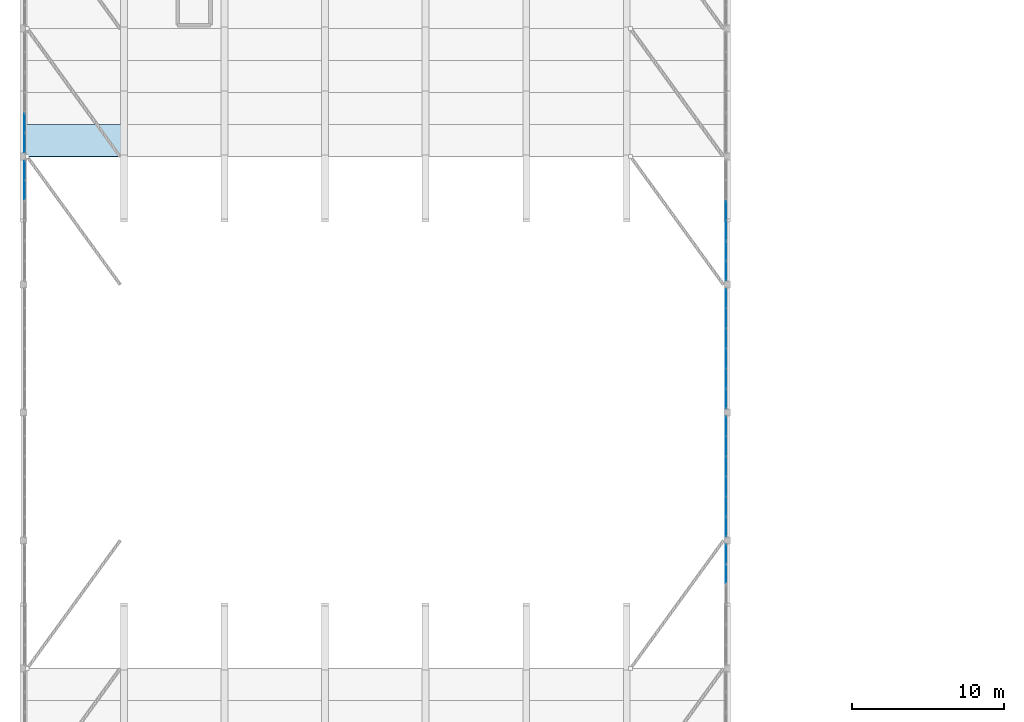
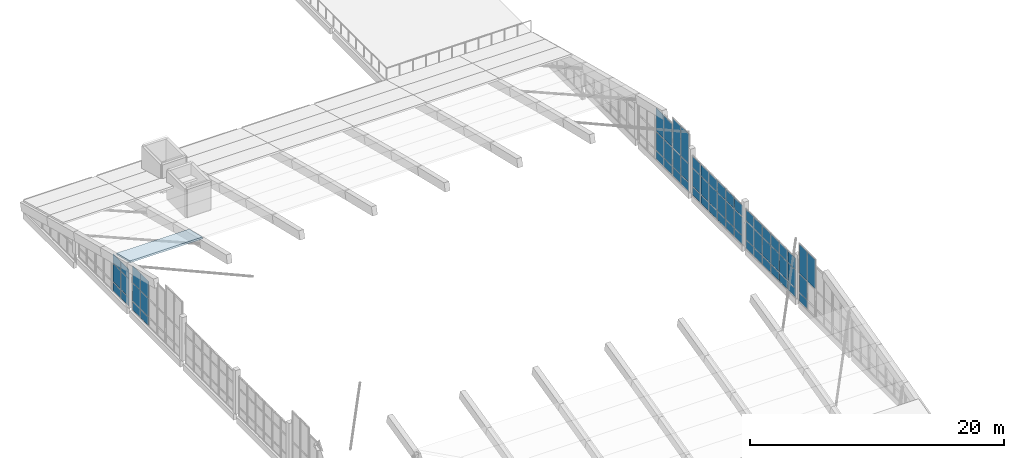
# One storey, part 43 of 78: 64 plates, 1 slab, 7 elements without a shape of their own.
"""IFC4 building model written with IfcOpenShell, lengths in metres."""

from ifc_helpers import new_model, si_unit, direction, frame, origin, origin_2d, place, context, subcontext, project, spatial, polyline, rectangle, outline, extrude, material, layer, layer_set, type_object, element, aggregate, save


model = new_model("IFC4")

# Units and contexts
model_context = context("Model", 3, precision=1e-05, world=origin(), true_north=direction((0.0, 1.0)))
body_context = subcontext(model_context, "Body", "Model", "MODEL_VIEW")
ifc_project = project(units=[si_unit("LENGTHUNIT", "METRE"), si_unit("AREAUNIT", "SQUARE_METRE"), si_unit("VOLUMEUNIT", "CUBIC_METRE"), si_unit("PLANEANGLEUNIT", "RADIAN"), si_unit("MASSUNIT", "GRAM", prefix="KILO")], contexts=[model_context])

# Site, building, storey
site_placement = place(None, origin())
site = spatial("IfcSite", under=ifc_project, at=site_placement, CompositionType="ELEMENT")
building_placement = place(site_placement, origin())
building = spatial("IfcBuilding", under=site, at=building_placement, Name="Qaldarim Faculty of Natural and Applied Sciences", CompositionType="ELEMENT")
storey_placement = place(building_placement, frame((0.0, 0.0, 18.60009765625)))
storey = spatial("IfcBuildingStorey", under=building, at=storey_placement, Name="L04", CompositionType="ELEMENT", Elevation=18.60009765625)

# Slab
ifc_material_1 = material(Name="Concrete C40/50", Category="concrete")
ifc_layer_1 = layer(ifc_material_1, 0.159912109375)
ifc_layer_set_1 = layer_set([ifc_layer_1], Name="Concrete C40/50")
slab_type = type_object("IfcSlabType", Name="PointedArchShellStrip-160", PredefinedType="ROOF", material=ifc_layer_set_1)
slab_placement = place(storey_placement, frame((0.0, 67.161865234375, 4.184326171875), z_axis=(0.0, 0.238123063783, 0.971234990357), x_axis=(1.0, 0.0, 0.0)))
element("IfcSlab", 1, at=slab_placement, inside=storey, type_object=slab_type, Name="Pointed-arch shell strip B01-N09", PredefinedType="ROOF", context=body_context, shape_type="SweptSolid", body=[
    extrude(outline(polyline([(0.0, 0.0), (6.60009765625, 0.0), (6.60009765625, 2.162296125139883), (0.0, 2.162296125139883), (0.0, 0.0)])), origin(), (0.0, 0.0, 1.0), 0.159912109375),
])

# Curtain wall, plates
ifc_material_2 = material(Name="Anodised aluminium AW-6063", Category="aluminium")
curtain_wall_type = type_object("IfcCurtainWallType", Name="CurtainWallSystem-M1300", PredefinedType="USERDEFINED", material=ifc_material_2)
curtain_wall_1_placement = place(storey_placement, origin())
curtain_wall_1 = element("IfcCurtainWall", 2, at=curtain_wall_1_placement, inside=storey, type_object=curtain_wall_type, Name="Curtain wall CW-GABLE-L04-W-Y08-3", ObjectType="STICK CURTAIN WALL", PredefinedType="USERDEFINED")
ifc_material_3 = material(Name="Insulated low-e double glazing", Category="glass")
ifc_layer_2 = layer(ifc_material_3, 0.028076171875)
ifc_layer_set_2 = layer_set([ifc_layer_2], Name="Insulated low-e double glazing")
plate_type = type_object("IfcPlateType", Name="VisionGlazingPanel-28", PredefinedType="CURTAIN_PANEL", material=ifc_layer_set_2)
plate_1_placement = place(storey_placement, frame((0.080078125, 66.29638671875, -0.2001953125), z_axis=(0.0, 0.0, 1.0), x_axis=(0.0, -1.0, 0.0)))
plate_1 = element("IfcPlate", 3, at=plate_1_placement, type_object=plate_type, Name="Glazed panel 1-1 of CW-GABLE-L04-W-Y08-3", PredefinedType="CURTAIN_PANEL", context=body_context, shape_type="SweptSolid", body=[
    extrude(rectangle(XDim=1.2275390625, YDim=0.028076171875, at=origin_2d()), origin(), (0.0, 0.0, 1.0), 0.81005859375),
])
plate_2_placement = place(storey_placement, frame((0.080078125, 66.29638671875, 0.669921875), z_axis=(0.0, 0.0, 1.0), x_axis=(0.0, -1.0, 0.0)))
plate_2 = element("IfcPlate", 4, at=plate_2_placement, type_object=plate_type, Name="Glazed panel 1-2 of CW-GABLE-L04-W-Y08-3", PredefinedType="CURTAIN_PANEL", context=body_context, shape_type="SweptSolid", body=[
    extrude(rectangle(XDim=1.2275390625, YDim=0.028076171875, at=origin_2d()), origin(), (0.0, 0.0, 1.0), 1.739990234375),
])
plate_3_placement = place(storey_placement, frame((0.080078125, 66.29638671875, 2.4697265625), z_axis=(0.0, 0.0, 1.0), x_axis=(0.0, -1.0, 0.0)))
plate_3 = element("IfcPlate", 5, at=plate_3_placement, type_object=plate_type, Name="Glazed panel 1-3 of CW-GABLE-L04-W-Y08-3", PredefinedType="CURTAIN_PANEL", context=body_context, shape_type="SweptSolid", body=[
    extrude(rectangle(XDim=1.2275390625, YDim=0.028076171875, at=origin_2d()), origin(), (0.0, 0.0, 1.0), 1.594970703125),
])
plate_4_placement = place(storey_placement, frame((0.080078125, 65.0087890625, -0.2001953125), z_axis=(0.0, 0.0, 1.0), x_axis=(0.0, -1.0, 0.0)))
plate_4 = element("IfcPlate", 6, at=plate_4_placement, type_object=plate_type, Name="Glazed panel 2-1 of CW-GABLE-L04-W-Y08-3", PredefinedType="CURTAIN_PANEL", context=body_context, shape_type="SweptSolid", body=[
    extrude(rectangle(XDim=1.2275390625, YDim=0.028076171875, at=origin_2d()), origin(), (0.0, 0.0, 1.0), 0.81005859375),
])
plate_5_placement = place(storey_placement, frame((0.080078125, 65.0087890625, 0.669921875), z_axis=(0.0, 0.0, 1.0), x_axis=(0.0, -1.0, 0.0)))
plate_5 = element("IfcPlate", 7, at=plate_5_placement, type_object=plate_type, Name="Glazed panel 2-2 of CW-GABLE-L04-W-Y08-3", PredefinedType="CURTAIN_PANEL", context=body_context, shape_type="SweptSolid", body=[
    extrude(rectangle(XDim=1.2275390625, YDim=0.028076171875, at=origin_2d()), origin(), (0.0, 0.0, 1.0), 1.739990234375),
])
plate_6_placement = place(storey_placement, frame((0.080078125, 65.0087890625, 2.4697265625), z_axis=(0.0, 0.0, 1.0), x_axis=(0.0, -1.0, 0.0)))
plate_6 = element("IfcPlate", 8, at=plate_6_placement, type_object=plate_type, Name="Glazed panel 2-3 of CW-GABLE-L04-W-Y08-3", PredefinedType="CURTAIN_PANEL", context=body_context, shape_type="SweptSolid", body=[
    extrude(rectangle(XDim=1.2275390625, YDim=0.028076171875, at=origin_2d()), origin(), (0.0, 0.0, 1.0), 1.594970703125),
])
aggregate(curtain_wall_1, [plate_1, plate_2, plate_3, plate_4, plate_5, plate_6])

curtain_wall_2_placement = place(storey_placement, origin())
curtain_wall_2 = element("IfcCurtainWall", 9, at=curtain_wall_2_placement, inside=storey, type_object=curtain_wall_type, Name="Curtain wall CW-GABLE-L04-W-Y09-1", ObjectType="STICK CURTAIN WALL", PredefinedType="USERDEFINED")
plate_7_placement = place(storey_placement, frame((0.080078125, 69.39111328125, -0.2001953125), z_axis=(0.0, 0.0, 1.0), x_axis=(0.0, -1.0, 0.0)))
plate_7 = element("IfcPlate", 10, at=plate_7_placement, type_object=plate_type, Name="Glazed panel 1-1 of CW-GABLE-L04-W-Y09-1", PredefinedType="CURTAIN_PANEL", context=body_context, shape_type="SweptSolid", body=[
    extrude(rectangle(XDim=1.2275390625, YDim=0.028076171875, at=origin_2d()), origin(), (0.0, 0.0, 1.0), 0.81005859375),
])
plate_8_placement = place(storey_placement, frame((0.080078125, 69.39111328125, 0.669921875), z_axis=(0.0, 0.0, 1.0), x_axis=(0.0, -1.0, 0.0)))
plate_8 = element("IfcPlate", 11, at=plate_8_placement, type_object=plate_type, Name="Glazed panel 1-2 of CW-GABLE-L04-W-Y09-1", PredefinedType="CURTAIN_PANEL", context=body_context, shape_type="SweptSolid", body=[
    extrude(rectangle(XDim=1.2275390625, YDim=0.028076171875, at=origin_2d()), origin(), (0.0, 0.0, 1.0), 1.739990234375),
])
plate_9_placement = place(storey_placement, frame((0.080078125, 69.39111328125, 2.469970703125), z_axis=(0.0, 0.0, 1.0), x_axis=(0.0, -1.0, 0.0)))
plate_9 = element("IfcPlate", 12, at=plate_9_placement, type_object=plate_type, Name="Glazed panel 1-3 of CW-GABLE-L04-W-Y09-1", PredefinedType="CURTAIN_PANEL", context=body_context, shape_type="SweptSolid", body=[
    extrude(rectangle(XDim=1.2275390625, YDim=0.028076171875, at=origin_2d()), origin(), (0.0, 0.0, 1.0), 0.85498046875),
])
plate_10_placement = place(storey_placement, frame((0.080078125, 68.103759765625, -0.2001953125), z_axis=(0.0, 0.0, 1.0), x_axis=(0.0, -1.0, 0.0)))
plate_10 = element("IfcPlate", 13, at=plate_10_placement, type_object=plate_type, Name="Glazed panel 2-1 of CW-GABLE-L04-W-Y09-1", PredefinedType="CURTAIN_PANEL", context=body_context, shape_type="SweptSolid", body=[
    extrude(rectangle(XDim=1.2275390625, YDim=0.028076171875, at=origin_2d()), origin(), (0.0, 0.0, 1.0), 0.81005859375),
])
plate_11_placement = place(storey_placement, frame((0.080078125, 68.103759765625, 0.669921875), z_axis=(0.0, 0.0, 1.0), x_axis=(0.0, -1.0, 0.0)))
plate_11 = element("IfcPlate", 14, at=plate_11_placement, type_object=plate_type, Name="Glazed panel 2-2 of CW-GABLE-L04-W-Y09-1", PredefinedType="CURTAIN_PANEL", context=body_context, shape_type="SweptSolid", body=[
    extrude(rectangle(XDim=1.2275390625, YDim=0.028076171875, at=origin_2d()), origin(), (0.0, 0.0, 1.0), 1.739990234375),
])
plate_12_placement = place(storey_placement, frame((0.080078125, 68.103759765625, 2.469970703125), z_axis=(0.0, 0.0, 1.0), x_axis=(0.0, -1.0, 0.0)))
plate_12 = element("IfcPlate", 15, at=plate_12_placement, type_object=plate_type, Name="Glazed panel 2-3 of CW-GABLE-L04-W-Y09-1", PredefinedType="CURTAIN_PANEL", context=body_context, shape_type="SweptSolid", body=[
    extrude(rectangle(XDim=1.2275390625, YDim=0.028076171875, at=origin_2d()), origin(), (0.0, 0.0, 1.0), 0.85498046875),
])
aggregate(curtain_wall_2, [plate_7, plate_8, plate_9, plate_10, plate_11, plate_12])

curtain_wall_3_placement = place(storey_placement, origin())
curtain_wall_3 = element("IfcCurtainWall", 16, at=curtain_wall_3_placement, inside=storey, type_object=curtain_wall_type, Name="Curtain wall CW-GABLE-L04-E-Y05-3", ObjectType="STICK CURTAIN WALL", PredefinedType="USERDEFINED")
plate_13_placement = place(storey_placement, frame((46.1201171875, 39.80859375, 2.4697265625), z_axis=(0.0, 0.0, 1.0), x_axis=(0.0, 1.0, 0.0)))
plate_13 = element("IfcPlate", 17, at=plate_13_placement, type_object=plate_type, Name="Glazed panel 1-3 of CW-GABLE-L04-E-Y05-3", PredefinedType="CURTAIN_PANEL", context=body_context, shape_type="SweptSolid", body=[
    extrude(rectangle(XDim=1.2275390625, YDim=0.028076171875, at=origin_2d()), origin(), (0.0, 0.0, 1.0), 2.820068359375),
])
plate_14_placement = place(storey_placement, frame((46.1201171875, 41.09619140625, -0.2001953125), z_axis=(0.0, 0.0, 1.0), x_axis=(0.0, 1.0, 0.0)))
plate_14 = element("IfcPlate", 18, at=plate_14_placement, type_object=plate_type, Name="Glazed panel 2-1 of CW-GABLE-L04-E-Y05-3", PredefinedType="CURTAIN_PANEL", context=body_context, shape_type="SweptSolid", body=[
    extrude(rectangle(XDim=1.2275390625, YDim=0.028076171875, at=origin_2d()), origin(), (0.0, 0.0, 1.0), 0.81005859375),
])
plate_15_placement = place(storey_placement, frame((46.1201171875, 41.09619140625, 0.669921875), z_axis=(0.0, 0.0, 1.0), x_axis=(0.0, 1.0, 0.0)))
plate_15 = element("IfcPlate", 19, at=plate_15_placement, type_object=plate_type, Name="Glazed panel 2-2 of CW-GABLE-L04-E-Y05-3", PredefinedType="CURTAIN_PANEL", context=body_context, shape_type="SweptSolid", body=[
    extrude(rectangle(XDim=1.2275390625, YDim=0.028076171875, at=origin_2d()), origin(), (0.0, 0.0, 1.0), 1.739990234375),
])
plate_16_placement = place(storey_placement, frame((46.1201171875, 41.09619140625, 2.4697265625), z_axis=(0.0, 0.0, 1.0), x_axis=(0.0, 1.0, 0.0)))
plate_16 = element("IfcPlate", 20, at=plate_16_placement, type_object=plate_type, Name="Glazed panel 2-3 of CW-GABLE-L04-E-Y05-3", PredefinedType="CURTAIN_PANEL", context=body_context, shape_type="SweptSolid", body=[
    extrude(rectangle(XDim=1.2275390625, YDim=0.028076171875, at=origin_2d()), origin(), (0.0, 0.0, 1.0), 2.820068359375),
])
aggregate(curtain_wall_3, [plate_13, plate_14, plate_15, plate_16])

curtain_wall_4_placement = place(storey_placement, origin())
curtain_wall_4 = element("IfcCurtainWall", 21, at=curtain_wall_4_placement, inside=storey, type_object=curtain_wall_type, Name="Curtain wall CW-GABLE-L04-E-Y06", ObjectType="STICK CURTAIN WALL", PredefinedType="USERDEFINED")
plate_17_placement = place(storey_placement, frame((46.1201171875, 42.90673828125, -0.2001953125), z_axis=(0.0, 0.0, 1.0), x_axis=(0.0, 1.0, 0.0)))
plate_17 = element("IfcPlate", 22, at=plate_17_placement, type_object=plate_type, Name="Glazed panel 1-1 of CW-GABLE-L04-E-Y06", PredefinedType="CURTAIN_PANEL", context=body_context, shape_type="SweptSolid", body=[
    extrude(rectangle(XDim=1.2333984375, YDim=0.028076171875, at=origin_2d()), origin(), (0.0, 0.0, 1.0), 0.81005859375),
])
plate_18_placement = place(storey_placement, frame((46.1201171875, 42.90673828125, 0.669921875), z_axis=(0.0, 0.0, 1.0), x_axis=(0.0, 1.0, 0.0)))
plate_18 = element("IfcPlate", 23, at=plate_18_placement, type_object=plate_type, Name="Glazed panel 1-2 of CW-GABLE-L04-E-Y06", PredefinedType="CURTAIN_PANEL", context=body_context, shape_type="SweptSolid", body=[
    extrude(rectangle(XDim=1.2333984375, YDim=0.028076171875, at=origin_2d()), origin(), (0.0, 0.0, 1.0), 1.739990234375),
])
plate_19_placement = place(storey_placement, frame((46.1201171875, 42.90673828125, 2.4697265625), z_axis=(0.0, 0.0, 1.0), x_axis=(0.0, 1.0, 0.0)))
plate_19 = element("IfcPlate", 24, at=plate_19_placement, type_object=plate_type, Name="Glazed panel 1-3 of CW-GABLE-L04-E-Y06", PredefinedType="CURTAIN_PANEL", context=body_context, shape_type="SweptSolid", body=[
    extrude(rectangle(XDim=1.2333984375, YDim=0.028076171875, at=origin_2d()), origin(), (0.0, 0.0, 1.0), 1.070068359375),
])
plate_20_placement = place(storey_placement, frame((46.1201171875, 44.215087890625, -0.2001953125), z_axis=(0.0, 0.0, 1.0), x_axis=(0.0, 1.0, 0.0)))
plate_20 = element("IfcPlate", 25, at=plate_20_placement, type_object=plate_type, Name="Glazed panel 2-1 of CW-GABLE-L04-E-Y06", PredefinedType="CURTAIN_PANEL", context=body_context, shape_type="SweptSolid", body=[
    extrude(rectangle(XDim=1.26318359375, YDim=0.028076171875, at=origin_2d()), origin(), (0.0, 0.0, 1.0), 0.81005859375),
])
plate_21_placement = place(storey_placement, frame((46.1201171875, 44.215087890625, 0.669921875), z_axis=(0.0, 0.0, 1.0), x_axis=(0.0, 1.0, 0.0)))
plate_21 = element("IfcPlate", 26, at=plate_21_placement, type_object=plate_type, Name="Glazed panel 2-2 of CW-GABLE-L04-E-Y06", PredefinedType="CURTAIN_PANEL", context=body_context, shape_type="SweptSolid", body=[
    extrude(rectangle(XDim=1.26318359375, YDim=0.028076171875, at=origin_2d()), origin(), (0.0, 0.0, 1.0), 1.739990234375),
])
plate_22_placement = place(storey_placement, frame((46.1201171875, 44.215087890625, 2.4697265625), z_axis=(0.0, 0.0, 1.0), x_axis=(0.0, 1.0, 0.0)))
plate_22 = element("IfcPlate", 27, at=plate_22_placement, type_object=plate_type, Name="Glazed panel 2-3 of CW-GABLE-L04-E-Y06", PredefinedType="CURTAIN_PANEL", context=body_context, shape_type="SweptSolid", body=[
    extrude(rectangle(XDim=1.26318359375, YDim=0.028076171875, at=origin_2d()), origin(), (0.0, 0.0, 1.0), 1.070068359375),
])
plate_23_placement = place(storey_placement, frame((46.1201171875, 45.538330078125, -0.2001953125), z_axis=(0.0, 0.0, 1.0), x_axis=(0.0, 1.0, 0.0)))
plate_23 = element("IfcPlate", 28, at=plate_23_placement, type_object=plate_type, Name="Glazed panel 3-1 of CW-GABLE-L04-E-Y06", PredefinedType="CURTAIN_PANEL", context=body_context, shape_type="SweptSolid", body=[
    extrude(rectangle(XDim=1.26318359375, YDim=0.028076171875, at=origin_2d()), origin(), (0.0, 0.0, 1.0), 0.81005859375),
])
plate_24_placement = place(storey_placement, frame((46.1201171875, 45.538330078125, 0.669921875), z_axis=(0.0, 0.0, 1.0), x_axis=(0.0, 1.0, 0.0)))
plate_24 = element("IfcPlate", 29, at=plate_24_placement, type_object=plate_type, Name="Glazed panel 3-2 of CW-GABLE-L04-E-Y06", PredefinedType="CURTAIN_PANEL", context=body_context, shape_type="SweptSolid", body=[
    extrude(rectangle(XDim=1.26318359375, YDim=0.028076171875, at=origin_2d()), origin(), (0.0, 0.0, 1.0), 1.739990234375),
])
plate_25_placement = place(storey_placement, frame((46.1201171875, 45.538330078125, 2.4697265625), z_axis=(0.0, 0.0, 1.0), x_axis=(0.0, 1.0, 0.0)))
plate_25 = element("IfcPlate", 30, at=plate_25_placement, type_object=plate_type, Name="Glazed panel 3-3 of CW-GABLE-L04-E-Y06", PredefinedType="CURTAIN_PANEL", context=body_context, shape_type="SweptSolid", body=[
    extrude(rectangle(XDim=1.26318359375, YDim=0.028076171875, at=origin_2d()), origin(), (0.0, 0.0, 1.0), 1.070068359375),
])
plate_26_placement = place(storey_placement, frame((46.1201171875, 46.86181640625, -0.2001953125), z_axis=(0.0, 0.0, 1.0), x_axis=(0.0, 1.0, 0.0)))
plate_26 = element("IfcPlate", 31, at=plate_26_placement, type_object=plate_type, Name="Glazed panel 4-1 of CW-GABLE-L04-E-Y06", PredefinedType="CURTAIN_PANEL", context=body_context, shape_type="SweptSolid", body=[
    extrude(rectangle(XDim=1.26318359375, YDim=0.028076171875, at=origin_2d()), origin(), (0.0, 0.0, 1.0), 0.81005859375),
])
plate_27_placement = place(storey_placement, frame((46.1201171875, 46.86181640625, 0.669921875), z_axis=(0.0, 0.0, 1.0), x_axis=(0.0, 1.0, 0.0)))
plate_27 = element("IfcPlate", 32, at=plate_27_placement, type_object=plate_type, Name="Glazed panel 4-2 of CW-GABLE-L04-E-Y06", PredefinedType="CURTAIN_PANEL", context=body_context, shape_type="SweptSolid", body=[
    extrude(rectangle(XDim=1.26318359375, YDim=0.028076171875, at=origin_2d()), origin(), (0.0, 0.0, 1.0), 1.739990234375),
])
plate_28_placement = place(storey_placement, frame((46.1201171875, 46.86181640625, 2.4697265625), z_axis=(0.0, 0.0, 1.0), x_axis=(0.0, 1.0, 0.0)))
plate_28 = element("IfcPlate", 33, at=plate_28_placement, type_object=plate_type, Name="Glazed panel 4-3 of CW-GABLE-L04-E-Y06", PredefinedType="CURTAIN_PANEL", context=body_context, shape_type="SweptSolid", body=[
    extrude(rectangle(XDim=1.26318359375, YDim=0.028076171875, at=origin_2d()), origin(), (0.0, 0.0, 1.0), 1.070068359375),
])
plate_29_placement = place(storey_placement, frame((46.1201171875, 48.18505859375, -0.2001953125), z_axis=(0.0, 0.0, 1.0), x_axis=(0.0, 1.0, 0.0)))
plate_29 = element("IfcPlate", 34, at=plate_29_placement, type_object=plate_type, Name="Glazed panel 5-1 of CW-GABLE-L04-E-Y06", PredefinedType="CURTAIN_PANEL", context=body_context, shape_type="SweptSolid", body=[
    extrude(rectangle(XDim=1.26318359375, YDim=0.028076171875, at=origin_2d()), origin(), (0.0, 0.0, 1.0), 0.81005859375),
])
plate_30_placement = place(storey_placement, frame((46.1201171875, 48.18505859375, 0.669921875), z_axis=(0.0, 0.0, 1.0), x_axis=(0.0, 1.0, 0.0)))
plate_30 = element("IfcPlate", 35, at=plate_30_placement, type_object=plate_type, Name="Glazed panel 5-2 of CW-GABLE-L04-E-Y06", PredefinedType="CURTAIN_PANEL", context=body_context, shape_type="SweptSolid", body=[
    extrude(rectangle(XDim=1.26318359375, YDim=0.028076171875, at=origin_2d()), origin(), (0.0, 0.0, 1.0), 1.739990234375),
])
plate_31_placement = place(storey_placement, frame((46.1201171875, 48.18505859375, 2.4697265625), z_axis=(0.0, 0.0, 1.0), x_axis=(0.0, 1.0, 0.0)))
plate_31 = element("IfcPlate", 36, at=plate_31_placement, type_object=plate_type, Name="Glazed panel 5-3 of CW-GABLE-L04-E-Y06", PredefinedType="CURTAIN_PANEL", context=body_context, shape_type="SweptSolid", body=[
    extrude(rectangle(XDim=1.26318359375, YDim=0.028076171875, at=origin_2d()), origin(), (0.0, 0.0, 1.0), 1.070068359375),
])
plate_32_placement = place(storey_placement, frame((46.1201171875, 49.493408203125, -0.2001953125), z_axis=(0.0, 0.0, 1.0), x_axis=(0.0, 1.0, 0.0)))
plate_32 = element("IfcPlate", 37, at=plate_32_placement, type_object=plate_type, Name="Glazed panel 6-1 of CW-GABLE-L04-E-Y06", PredefinedType="CURTAIN_PANEL", context=body_context, shape_type="SweptSolid", body=[
    extrude(rectangle(XDim=1.2333984375, YDim=0.028076171875, at=origin_2d()), origin(), (0.0, 0.0, 1.0), 0.81005859375),
])
plate_33_placement = place(storey_placement, frame((46.1201171875, 49.493408203125, 0.669921875), z_axis=(0.0, 0.0, 1.0), x_axis=(0.0, 1.0, 0.0)))
plate_33 = element("IfcPlate", 38, at=plate_33_placement, type_object=plate_type, Name="Glazed panel 6-2 of CW-GABLE-L04-E-Y06", PredefinedType="CURTAIN_PANEL", context=body_context, shape_type="SweptSolid", body=[
    extrude(rectangle(XDim=1.2333984375, YDim=0.028076171875, at=origin_2d()), origin(), (0.0, 0.0, 1.0), 1.739990234375),
])
plate_34_placement = place(storey_placement, frame((46.1201171875, 49.493408203125, 2.4697265625), z_axis=(0.0, 0.0, 1.0), x_axis=(0.0, 1.0, 0.0)))
plate_34 = element("IfcPlate", 39, at=plate_34_placement, type_object=plate_type, Name="Glazed panel 6-3 of CW-GABLE-L04-E-Y06", PredefinedType="CURTAIN_PANEL", context=body_context, shape_type="SweptSolid", body=[
    extrude(rectangle(XDim=1.2333984375, YDim=0.028076171875, at=origin_2d()), origin(), (0.0, 0.0, 1.0), 1.070068359375),
])
aggregate(curtain_wall_4, [plate_17, plate_18, plate_19, plate_20, plate_21, plate_22, plate_23, plate_24, plate_25, plate_26, plate_27, plate_28, plate_29, plate_30, plate_31, plate_32, plate_33, plate_34])

curtain_wall_5_placement = place(storey_placement, origin())
curtain_wall_5 = element("IfcCurtainWall", 40, at=curtain_wall_5_placement, inside=storey, type_object=curtain_wall_type, Name="Curtain wall CW-GABLE-L04-E-Y07", ObjectType="STICK CURTAIN WALL", PredefinedType="USERDEFINED")
plate_35_placement = place(storey_placement, frame((46.1201171875, 51.306640625, -0.2001953125), z_axis=(0.0, 0.0, 1.0), x_axis=(0.0, 1.0, 0.0)))
plate_35 = element("IfcPlate", 41, at=plate_35_placement, type_object=plate_type, Name="Glazed panel 1-1 of CW-GABLE-L04-E-Y07", PredefinedType="CURTAIN_PANEL", context=body_context, shape_type="SweptSolid", body=[
    extrude(rectangle(XDim=1.2333984375, YDim=0.028076171875, at=origin_2d()), origin(), (0.0, 0.0, 1.0), 0.81005859375),
])
plate_36_placement = place(storey_placement, frame((46.1201171875, 51.306640625, 0.669921875), z_axis=(0.0, 0.0, 1.0), x_axis=(0.0, 1.0, 0.0)))
plate_36 = element("IfcPlate", 42, at=plate_36_placement, type_object=plate_type, Name="Glazed panel 1-2 of CW-GABLE-L04-E-Y07", PredefinedType="CURTAIN_PANEL", context=body_context, shape_type="SweptSolid", body=[
    extrude(rectangle(XDim=1.2333984375, YDim=0.028076171875, at=origin_2d()), origin(), (0.0, 0.0, 1.0), 1.739990234375),
])
plate_37_placement = place(storey_placement, frame((46.1201171875, 51.306640625, 2.4697265625), z_axis=(0.0, 0.0, 1.0), x_axis=(0.0, 1.0, 0.0)))
plate_37 = element("IfcPlate", 43, at=plate_37_placement, type_object=plate_type, Name="Glazed panel 1-3 of CW-GABLE-L04-E-Y07", PredefinedType="CURTAIN_PANEL", context=body_context, shape_type="SweptSolid", body=[
    extrude(rectangle(XDim=1.2333984375, YDim=0.028076171875, at=origin_2d()), origin(), (0.0, 0.0, 1.0), 1.070068359375),
])
plate_38_placement = place(storey_placement, frame((46.1201171875, 52.614990234375, -0.2001953125), z_axis=(0.0, 0.0, 1.0), x_axis=(0.0, 1.0, 0.0)))
plate_38 = element("IfcPlate", 44, at=plate_38_placement, type_object=plate_type, Name="Glazed panel 2-1 of CW-GABLE-L04-E-Y07", PredefinedType="CURTAIN_PANEL", context=body_context, shape_type="SweptSolid", body=[
    extrude(rectangle(XDim=1.26318359375, YDim=0.028076171875, at=origin_2d()), origin(), (0.0, 0.0, 1.0), 0.81005859375),
])
plate_39_placement = place(storey_placement, frame((46.1201171875, 52.614990234375, 0.669921875), z_axis=(0.0, 0.0, 1.0), x_axis=(0.0, 1.0, 0.0)))
plate_39 = element("IfcPlate", 45, at=plate_39_placement, type_object=plate_type, Name="Glazed panel 2-2 of CW-GABLE-L04-E-Y07", PredefinedType="CURTAIN_PANEL", context=body_context, shape_type="SweptSolid", body=[
    extrude(rectangle(XDim=1.26318359375, YDim=0.028076171875, at=origin_2d()), origin(), (0.0, 0.0, 1.0), 1.739990234375),
])
plate_40_placement = place(storey_placement, frame((46.1201171875, 52.614990234375, 2.4697265625), z_axis=(0.0, 0.0, 1.0), x_axis=(0.0, 1.0, 0.0)))
plate_40 = element("IfcPlate", 46, at=plate_40_placement, type_object=plate_type, Name="Glazed panel 2-3 of CW-GABLE-L04-E-Y07", PredefinedType="CURTAIN_PANEL", context=body_context, shape_type="SweptSolid", body=[
    extrude(rectangle(XDim=1.26318359375, YDim=0.028076171875, at=origin_2d()), origin(), (0.0, 0.0, 1.0), 1.070068359375),
])
plate_41_placement = place(storey_placement, frame((46.1201171875, 53.938232421875, -0.2001953125), z_axis=(0.0, 0.0, 1.0), x_axis=(0.0, 1.0, 0.0)))
plate_41 = element("IfcPlate", 47, at=plate_41_placement, type_object=plate_type, Name="Glazed panel 3-1 of CW-GABLE-L04-E-Y07", PredefinedType="CURTAIN_PANEL", context=body_context, shape_type="SweptSolid", body=[
    extrude(rectangle(XDim=1.26318359375, YDim=0.028076171875, at=origin_2d()), origin(), (0.0, 0.0, 1.0), 0.81005859375),
])
plate_42_placement = place(storey_placement, frame((46.1201171875, 53.938232421875, 0.669921875), z_axis=(0.0, 0.0, 1.0), x_axis=(0.0, 1.0, 0.0)))
plate_42 = element("IfcPlate", 48, at=plate_42_placement, type_object=plate_type, Name="Glazed panel 3-2 of CW-GABLE-L04-E-Y07", PredefinedType="CURTAIN_PANEL", context=body_context, shape_type="SweptSolid", body=[
    extrude(rectangle(XDim=1.26318359375, YDim=0.028076171875, at=origin_2d()), origin(), (0.0, 0.0, 1.0), 1.739990234375),
])
plate_43_placement = place(storey_placement, frame((46.1201171875, 53.938232421875, 2.4697265625), z_axis=(0.0, 0.0, 1.0), x_axis=(0.0, 1.0, 0.0)))
plate_43 = element("IfcPlate", 49, at=plate_43_placement, type_object=plate_type, Name="Glazed panel 3-3 of CW-GABLE-L04-E-Y07", PredefinedType="CURTAIN_PANEL", context=body_context, shape_type="SweptSolid", body=[
    extrude(rectangle(XDim=1.26318359375, YDim=0.028076171875, at=origin_2d()), origin(), (0.0, 0.0, 1.0), 1.070068359375),
])
plate_44_placement = place(storey_placement, frame((46.1201171875, 55.26171875, -0.2001953125), z_axis=(0.0, 0.0, 1.0), x_axis=(0.0, 1.0, 0.0)))
plate_44 = element("IfcPlate", 50, at=plate_44_placement, type_object=plate_type, Name="Glazed panel 4-1 of CW-GABLE-L04-E-Y07", PredefinedType="CURTAIN_PANEL", context=body_context, shape_type="SweptSolid", body=[
    extrude(rectangle(XDim=1.26318359375, YDim=0.028076171875, at=origin_2d()), origin(), (0.0, 0.0, 1.0), 0.81005859375),
])
plate_45_placement = place(storey_placement, frame((46.1201171875, 55.26171875, 0.669921875), z_axis=(0.0, 0.0, 1.0), x_axis=(0.0, 1.0, 0.0)))
plate_45 = element("IfcPlate", 51, at=plate_45_placement, type_object=plate_type, Name="Glazed panel 4-2 of CW-GABLE-L04-E-Y07", PredefinedType="CURTAIN_PANEL", context=body_context, shape_type="SweptSolid", body=[
    extrude(rectangle(XDim=1.26318359375, YDim=0.028076171875, at=origin_2d()), origin(), (0.0, 0.0, 1.0), 1.739990234375),
])
plate_46_placement = place(storey_placement, frame((46.1201171875, 55.26171875, 2.4697265625), z_axis=(0.0, 0.0, 1.0), x_axis=(0.0, 1.0, 0.0)))
plate_46 = element("IfcPlate", 52, at=plate_46_placement, type_object=plate_type, Name="Glazed panel 4-3 of CW-GABLE-L04-E-Y07", PredefinedType="CURTAIN_PANEL", context=body_context, shape_type="SweptSolid", body=[
    extrude(rectangle(XDim=1.26318359375, YDim=0.028076171875, at=origin_2d()), origin(), (0.0, 0.0, 1.0), 1.070068359375),
])
plate_47_placement = place(storey_placement, frame((46.1201171875, 56.5849609375, -0.2001953125), z_axis=(0.0, 0.0, 1.0), x_axis=(0.0, 1.0, 0.0)))
plate_47 = element("IfcPlate", 53, at=plate_47_placement, type_object=plate_type, Name="Glazed panel 5-1 of CW-GABLE-L04-E-Y07", PredefinedType="CURTAIN_PANEL", context=body_context, shape_type="SweptSolid", body=[
    extrude(rectangle(XDim=1.26318359375, YDim=0.028076171875, at=origin_2d()), origin(), (0.0, 0.0, 1.0), 0.81005859375),
])
plate_48_placement = place(storey_placement, frame((46.1201171875, 56.5849609375, 0.669921875), z_axis=(0.0, 0.0, 1.0), x_axis=(0.0, 1.0, 0.0)))
plate_48 = element("IfcPlate", 54, at=plate_48_placement, type_object=plate_type, Name="Glazed panel 5-2 of CW-GABLE-L04-E-Y07", PredefinedType="CURTAIN_PANEL", context=body_context, shape_type="SweptSolid", body=[
    extrude(rectangle(XDim=1.26318359375, YDim=0.028076171875, at=origin_2d()), origin(), (0.0, 0.0, 1.0), 1.739990234375),
])
plate_49_placement = place(storey_placement, frame((46.1201171875, 56.5849609375, 2.4697265625), z_axis=(0.0, 0.0, 1.0), x_axis=(0.0, 1.0, 0.0)))
plate_49 = element("IfcPlate", 55, at=plate_49_placement, type_object=plate_type, Name="Glazed panel 5-3 of CW-GABLE-L04-E-Y07", PredefinedType="CURTAIN_PANEL", context=body_context, shape_type="SweptSolid", body=[
    extrude(rectangle(XDim=1.26318359375, YDim=0.028076171875, at=origin_2d()), origin(), (0.0, 0.0, 1.0), 1.070068359375),
])
plate_50_placement = place(storey_placement, frame((46.1201171875, 57.893310546875, -0.2001953125), z_axis=(0.0, 0.0, 1.0), x_axis=(0.0, 1.0, 0.0)))
plate_50 = element("IfcPlate", 56, at=plate_50_placement, type_object=plate_type, Name="Glazed panel 6-1 of CW-GABLE-L04-E-Y07", PredefinedType="CURTAIN_PANEL", context=body_context, shape_type="SweptSolid", body=[
    extrude(rectangle(XDim=1.2333984375, YDim=0.028076171875, at=origin_2d()), origin(), (0.0, 0.0, 1.0), 0.81005859375),
])
plate_51_placement = place(storey_placement, frame((46.1201171875, 57.893310546875, 0.669921875), z_axis=(0.0, 0.0, 1.0), x_axis=(0.0, 1.0, 0.0)))
plate_51 = element("IfcPlate", 57, at=plate_51_placement, type_object=plate_type, Name="Glazed panel 6-2 of CW-GABLE-L04-E-Y07", PredefinedType="CURTAIN_PANEL", context=body_context, shape_type="SweptSolid", body=[
    extrude(rectangle(XDim=1.2333984375, YDim=0.028076171875, at=origin_2d()), origin(), (0.0, 0.0, 1.0), 1.739990234375),
])
plate_52_placement = place(storey_placement, frame((46.1201171875, 57.893310546875, 2.4697265625), z_axis=(0.0, 0.0, 1.0), x_axis=(0.0, 1.0, 0.0)))
plate_52 = element("IfcPlate", 58, at=plate_52_placement, type_object=plate_type, Name="Glazed panel 6-3 of CW-GABLE-L04-E-Y07", PredefinedType="CURTAIN_PANEL", context=body_context, shape_type="SweptSolid", body=[
    extrude(rectangle(XDim=1.2333984375, YDim=0.028076171875, at=origin_2d()), origin(), (0.0, 0.0, 1.0), 1.070068359375),
])
aggregate(curtain_wall_5, [plate_35, plate_36, plate_37, plate_38, plate_39, plate_40, plate_41, plate_42, plate_43, plate_44, plate_45, plate_46, plate_47, plate_48, plate_49, plate_50, plate_51, plate_52])

curtain_wall_6_placement = place(storey_placement, origin())
curtain_wall_6 = element("IfcCurtainWall", 59, at=curtain_wall_6_placement, inside=storey, type_object=curtain_wall_type, Name="Curtain wall CW-GABLE-L04-E-Y08-1", ObjectType="STICK CURTAIN WALL", PredefinedType="USERDEFINED")
plate_53_placement = place(storey_placement, frame((46.1201171875, 59.70361328125, -0.2001953125), z_axis=(0.0, 0.0, 1.0), x_axis=(0.0, 1.0, 0.0)))
plate_53 = element("IfcPlate", 60, at=plate_53_placement, type_object=plate_type, Name="Glazed panel 1-1 of CW-GABLE-L04-E-Y08-1", PredefinedType="CURTAIN_PANEL", context=body_context, shape_type="SweptSolid", body=[
    extrude(rectangle(XDim=1.2275390625, YDim=0.028076171875, at=origin_2d()), origin(), (0.0, 0.0, 1.0), 0.81005859375),
])
plate_54_placement = place(storey_placement, frame((46.1201171875, 59.70361328125, 0.669921875), z_axis=(0.0, 0.0, 1.0), x_axis=(0.0, 1.0, 0.0)))
plate_54 = element("IfcPlate", 61, at=plate_54_placement, type_object=plate_type, Name="Glazed panel 1-2 of CW-GABLE-L04-E-Y08-1", PredefinedType="CURTAIN_PANEL", context=body_context, shape_type="SweptSolid", body=[
    extrude(rectangle(XDim=1.2275390625, YDim=0.028076171875, at=origin_2d()), origin(), (0.0, 0.0, 1.0), 1.739990234375),
])
plate_55_placement = place(storey_placement, frame((46.1201171875, 59.70361328125, 2.4697265625), z_axis=(0.0, 0.0, 1.0), x_axis=(0.0, 1.0, 0.0)))
plate_55 = element("IfcPlate", 62, at=plate_55_placement, type_object=plate_type, Name="Glazed panel 1-3 of CW-GABLE-L04-E-Y08-1", PredefinedType="CURTAIN_PANEL", context=body_context, shape_type="SweptSolid", body=[
    extrude(rectangle(XDim=1.2275390625, YDim=0.028076171875, at=origin_2d()), origin(), (0.0, 0.0, 1.0), 2.820068359375),
])
plate_56_placement = place(storey_placement, frame((46.1201171875, 60.9912109375, -0.2001953125), z_axis=(0.0, 0.0, 1.0), x_axis=(0.0, 1.0, 0.0)))
plate_56 = element("IfcPlate", 63, at=plate_56_placement, type_object=plate_type, Name="Glazed panel 2-1 of CW-GABLE-L04-E-Y08-1", PredefinedType="CURTAIN_PANEL", context=body_context, shape_type="SweptSolid", body=[
    extrude(rectangle(XDim=1.2275390625, YDim=0.028076171875, at=origin_2d()), origin(), (0.0, 0.0, 1.0), 0.81005859375),
])
plate_57_placement = place(storey_placement, frame((46.1201171875, 60.9912109375, 0.669921875), z_axis=(0.0, 0.0, 1.0), x_axis=(0.0, 1.0, 0.0)))
plate_57 = element("IfcPlate", 64, at=plate_57_placement, type_object=plate_type, Name="Glazed panel 2-2 of CW-GABLE-L04-E-Y08-1", PredefinedType="CURTAIN_PANEL", context=body_context, shape_type="SweptSolid", body=[
    extrude(rectangle(XDim=1.2275390625, YDim=0.028076171875, at=origin_2d()), origin(), (0.0, 0.0, 1.0), 1.739990234375),
])
plate_58_placement = place(storey_placement, frame((46.1201171875, 60.9912109375, 2.4697265625), z_axis=(0.0, 0.0, 1.0), x_axis=(0.0, 1.0, 0.0)))
plate_58 = element("IfcPlate", 65, at=plate_58_placement, type_object=plate_type, Name="Glazed panel 2-3 of CW-GABLE-L04-E-Y08-1", PredefinedType="CURTAIN_PANEL", context=body_context, shape_type="SweptSolid", body=[
    extrude(rectangle(XDim=1.2275390625, YDim=0.028076171875, at=origin_2d()), origin(), (0.0, 0.0, 1.0), 2.820068359375),
])
aggregate(curtain_wall_6, [plate_53, plate_54, plate_55, plate_56, plate_57, plate_58])

curtain_wall_7_placement = place(storey_placement, origin())
curtain_wall_7 = element("IfcCurtainWall", 66, at=curtain_wall_7_placement, inside=storey, type_object=curtain_wall_type, Name="Curtain wall CW-GABLE-L04-E-Y08-2", ObjectType="STICK CURTAIN WALL", PredefinedType="USERDEFINED")
plate_59_placement = place(storey_placement, frame((46.1201171875, 62.35888671875, -0.2001953125), z_axis=(0.0, 0.0, 1.0), x_axis=(0.0, 1.0, 0.0)))
plate_59 = element("IfcPlate", 67, at=plate_59_placement, type_object=plate_type, Name="Glazed panel 1-1 of CW-GABLE-L04-E-Y08-2", PredefinedType="CURTAIN_PANEL", context=body_context, shape_type="SweptSolid", body=[
    extrude(rectangle(XDim=1.2275390625, YDim=0.028076171875, at=origin_2d()), origin(), (0.0, 0.0, 1.0), 0.81005859375),
])
plate_60_placement = place(storey_placement, frame((46.1201171875, 62.35888671875, 0.669921875), z_axis=(0.0, 0.0, 1.0), x_axis=(0.0, 1.0, 0.0)))
plate_60 = element("IfcPlate", 68, at=plate_60_placement, type_object=plate_type, Name="Glazed panel 1-2 of CW-GABLE-L04-E-Y08-2", PredefinedType="CURTAIN_PANEL", context=body_context, shape_type="SweptSolid", body=[
    extrude(rectangle(XDim=1.2275390625, YDim=0.028076171875, at=origin_2d()), origin(), (0.0, 0.0, 1.0), 1.739990234375),
])
plate_61_placement = place(storey_placement, frame((46.1201171875, 62.35888671875, 2.4697265625), z_axis=(0.0, 0.0, 1.0), x_axis=(0.0, 1.0, 0.0)))
plate_61 = element("IfcPlate", 69, at=plate_61_placement, type_object=plate_type, Name="Glazed panel 1-3 of CW-GABLE-L04-E-Y08-2", PredefinedType="CURTAIN_PANEL", context=body_context, shape_type="SweptSolid", body=[
    extrude(rectangle(XDim=1.2275390625, YDim=0.028076171875, at=origin_2d()), origin(), (0.0, 0.0, 1.0), 2.215087890625),
])
plate_62_placement = place(storey_placement, frame((46.1201171875, 63.646240234375, -0.2001953125), z_axis=(0.0, 0.0, 1.0), x_axis=(0.0, 1.0, 0.0)))
plate_62 = element("IfcPlate", 70, at=plate_62_placement, type_object=plate_type, Name="Glazed panel 2-1 of CW-GABLE-L04-E-Y08-2", PredefinedType="CURTAIN_PANEL", context=body_context, shape_type="SweptSolid", body=[
    extrude(rectangle(XDim=1.2275390625, YDim=0.028076171875, at=origin_2d()), origin(), (0.0, 0.0, 1.0), 0.81005859375),
])
plate_63_placement = place(storey_placement, frame((46.1201171875, 63.646240234375, 0.669921875), z_axis=(0.0, 0.0, 1.0), x_axis=(0.0, 1.0, 0.0)))
plate_63 = element("IfcPlate", 71, at=plate_63_placement, type_object=plate_type, Name="Glazed panel 2-2 of CW-GABLE-L04-E-Y08-2", PredefinedType="CURTAIN_PANEL", context=body_context, shape_type="SweptSolid", body=[
    extrude(rectangle(XDim=1.2275390625, YDim=0.028076171875, at=origin_2d()), origin(), (0.0, 0.0, 1.0), 1.739990234375),
])
plate_64_placement = place(storey_placement, frame((46.1201171875, 63.646240234375, 2.4697265625), z_axis=(0.0, 0.0, 1.0), x_axis=(0.0, 1.0, 0.0)))
plate_64 = element("IfcPlate", 72, at=plate_64_placement, type_object=plate_type, Name="Glazed panel 2-3 of CW-GABLE-L04-E-Y08-2", PredefinedType="CURTAIN_PANEL", context=body_context, shape_type="SweptSolid", body=[
    extrude(rectangle(XDim=1.2275390625, YDim=0.028076171875, at=origin_2d()), origin(), (0.0, 0.0, 1.0), 2.215087890625),
])
aggregate(curtain_wall_7, [plate_59, plate_60, plate_61, plate_62, plate_63, plate_64])

save(model, "model.ifc")
